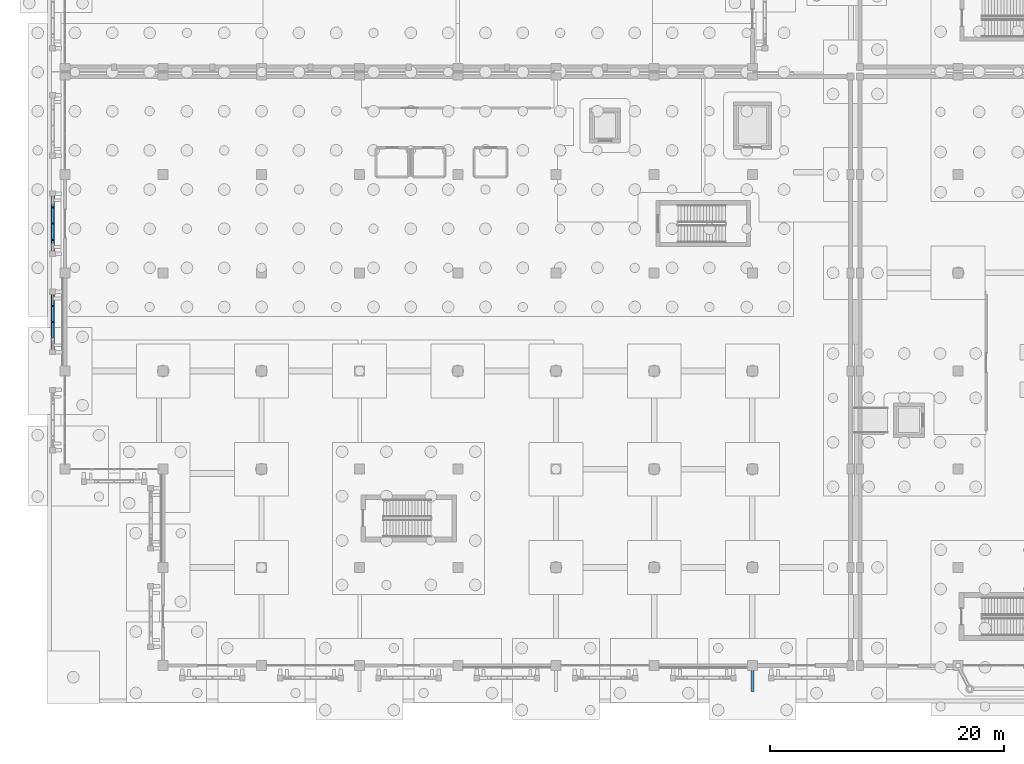
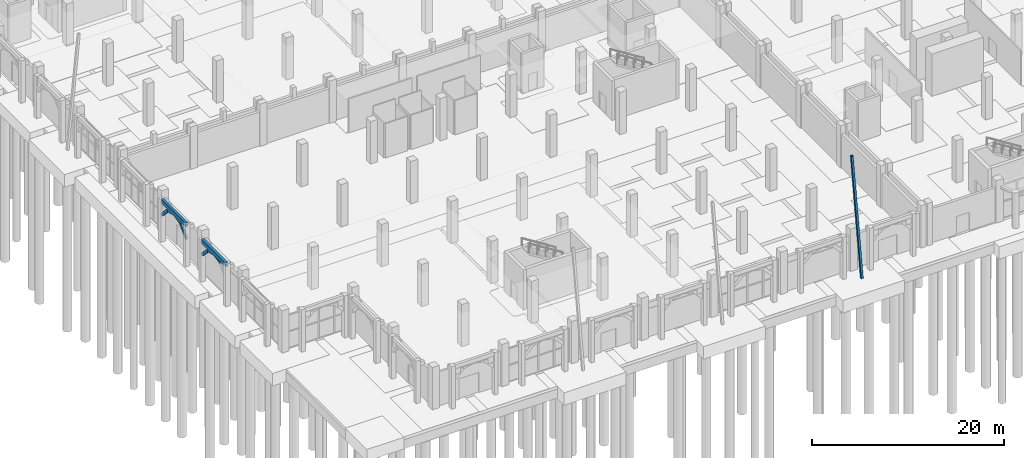
# One storey, part 18 of 98: 8 members, 2 beams.
"""IFC4 building model written with IfcOpenShell, lengths in metres."""

from ifc_helpers import new_model, si_unit, direction, frame, origin, origin_2d, place, context, subcontext, project, spatial, rectangle, hollow_rectangle, extrude, material, material_profile, profile_set, type_object, element, save


model = new_model("IFC4")

# Units and contexts
model_context = context("Model", 3, precision=1e-05, world=origin(), true_north=direction((0.0, 1.0)))
body_context = subcontext(model_context, "Body", "Model", "MODEL_VIEW")
ifc_project = project(units=[si_unit("LENGTHUNIT", "METRE"), si_unit("AREAUNIT", "SQUARE_METRE"), si_unit("VOLUMEUNIT", "CUBIC_METRE"), si_unit("PLANEANGLEUNIT", "RADIAN"), si_unit("MASSUNIT", "GRAM", prefix="KILO")], contexts=[model_context])

# Site, building, storey
site_placement = place(None, origin())
site = spatial("IfcSite", under=ifc_project, at=site_placement, CompositionType="ELEMENT")
building_placement = place(site_placement, origin())
building = spatial("IfcBuilding", under=site, at=building_placement, Name="Xazarin Passage Department Store", CompositionType="ELEMENT")
storey_placement = place(building_placement, origin())
storey = spatial("IfcBuildingStorey", under=building, at=storey_placement, Name="L00", CompositionType="ELEMENT", Elevation=0.0)

# Beams
ifc_material_1 = material(Name="Concrete C35/45", Category="concrete")
ifc_material_profile_1 = material_profile(ifc_material_1, rectangle(XDim=0.300048828125, YDim=0.5, at=origin_2d()), Name="RC 300x500")
ifc_profile_set_1 = profile_set([ifc_material_profile_1], Name="Concrete C35/45")
beam_type = type_object("IfcBeamType", Name="STR-BM-LN300x500", PredefinedType="LINTEL", material=ifc_profile_set_1)
for number, where, z_axis, x_axis, name in (
    (1, (-1.050048828125, 26.820068359375, 5.14990234375), (0.0, 1.0, 0.0), (-1.0, 0.0, 0.0), "L00 V3 Colonnade Spandrel Beam 035"),
    (2, (-1.050048828125, 35.219970703125, 5.14990234375), (0.0, 1.0, 0.0), (-1.0, 0.0, 0.0), "L00 V3 Colonnade Spandrel Beam 036"),
):
    element("IfcBeam", number, at=place(storey_placement, frame(where, z_axis=z_axis, x_axis=x_axis)), inside=storey, type_object=beam_type, Name=name, PredefinedType="LINTEL", context=body_context, shape_type="SweptSolid", body=[
        extrude(rectangle(XDim=0.300048828125, YDim=0.5, at=origin_2d()), origin(), (0.0, 0.0, 1.0), 5.159912109375),
    ])

# Members
ifc_material_2 = material(Name="Concrete C40/50", Category="concrete")
ifc_material_profile_2 = material_profile(ifc_material_2, rectangle(XDim=0.199951171875, YDim=0.360107421875, at=origin_2d()), Name="RC 200x360")
ifc_profile_set_2 = profile_set([ifc_material_profile_2], Name="Concrete C40/50")
member_type_1 = type_object("IfcMemberType", Name="STR-MEM-ARC360", PredefinedType="CHORD", material=ifc_profile_set_2)
member_1_placement = place(storey_placement, frame((-1.050048828125, 28.110107421875, 4.67041015625), z_axis=(0.0, 0.972383960415, 0.233386875224), x_axis=(-1.0, 0.0, 0.0)))
element("IfcMember", 3, at=member_1_placement, inside=storey, type_object=member_type_1, Name="L00 V3 Pierced Lattice Curved Arch 035.2", PredefinedType="CHORD", context=body_context, shape_type="SweptSolid", body=[
    extrude(rectangle(XDim=0.199951171875, YDim=0.360107421875, at=origin_2d()), origin(), (0.0, 0.0, 1.0), 1.326416015625),
])
member_2_placement = place(storey_placement, frame((-1.050048828125, 29.39990234375, 4.97998046875), z_axis=(0.0, 0.972393983317, -0.233345111818), x_axis=(-1.0, 0.0, 0.0)))
element("IfcMember", 4, at=member_2_placement, inside=storey, type_object=member_type_1, Name="L00 V3 Pierced Lattice Curved Arch 035.3", PredefinedType="CHORD", context=body_context, shape_type="SweptSolid", body=[
    extrude(rectangle(XDim=0.199951171875, YDim=0.360107421875, at=origin_2d()), origin(), (0.0, 0.0, 1.0), 1.32666015625),
])
for number, where, z_axis, x_axis, name in (
    (5, (-1.050048828125, 30.68994140625, 4.67041015625), (0.0, 0.693460080602, -0.720495049679), (-1.0, 0.0, 0.0), "L00 V3 Pierced Lattice Curved Arch 035.4"),
    (6, (-1.050048828125, 35.219970703125, 3.330078125), (0.0, 0.693460080602, 0.720495049679), (-1.0, 0.0, 0.0), "L00 V3 Pierced Lattice Curved Arch 036.1"),
):
    element("IfcMember", number, at=place(storey_placement, frame(where, z_axis=z_axis, x_axis=x_axis)), inside=storey, type_object=member_type_1, Name=name, PredefinedType="CHORD", context=body_context, shape_type="SweptSolid", body=[
        extrude(rectangle(XDim=0.199951171875, YDim=0.360107421875, at=origin_2d()), origin(), (0.0, 0.0, 1.0), 1.8603515625),
    ])
for number, where, z_axis, x_axis, name in (
    (7, (-1.050048828125, 36.510009765625, 4.67041015625), (0.0, 0.972393983317, 0.233345111818), (-1.0, 0.0, 0.0), "L00 V3 Pierced Lattice Curved Arch 036.2"),
    (8, (-1.050048828125, 37.800048828125, 4.97998046875), (0.0, 0.972393983317, -0.233345111818), (-1.0, 0.0, 0.0), "L00 V3 Pierced Lattice Curved Arch 036.3"),
):
    element("IfcMember", number, at=place(storey_placement, frame(where, z_axis=z_axis, x_axis=x_axis)), inside=storey, type_object=member_type_1, Name=name, PredefinedType="CHORD", context=body_context, shape_type="SweptSolid", body=[
        extrude(rectangle(XDim=0.199951171875, YDim=0.360107421875, at=origin_2d()), origin(), (0.0, 0.0, 1.0), 1.32666015625),
    ])
member_3_placement = place(storey_placement, frame((-1.050048828125, 39.090087890625, 4.67041015625), z_axis=(0.0, 0.693391944082, -0.720560623322), x_axis=(-1.0, 0.0, 0.0)))
element("IfcMember", 9, at=member_3_placement, inside=storey, type_object=member_type_1, Name="L00 V3 Pierced Lattice Curved Arch 036.4", PredefinedType="CHORD", context=body_context, shape_type="SweptSolid", body=[
    extrude(rectangle(XDim=0.199951171875, YDim=0.360107421875, at=origin_2d()), origin(), (0.0, 0.0, 1.0), 1.860107421875),
])
ifc_material_3 = material(Name="Steel S355", Category="steel")
ifc_material_profile_3 = material_profile(ifc_material_3, hollow_rectangle(XDim=0.25, YDim=0.25, WallThickness=0.012451171875, at=origin_2d()), Name="SHS 250x250x12.5")
ifc_profile_set_3 = profile_set([ifc_material_profile_3], Name="Steel S355")
member_type_2 = type_object("IfcMemberType", Name="STR-MEM-SHS250", PredefinedType="BRACE", material=ifc_profile_set_3)
member_4_placement = place(storey_placement, frame((58.800048828125, -2.10009765625, 0.030029296875), z_axis=(0.0, 0.144609701748, 0.989488774146), x_axis=(-1.0, 0.0, 0.0)))
element("IfcMember", 10, at=member_4_placement, inside=storey, type_object=member_type_2, Name="Sculpted Raked Concrete Buttress BUT-V3-S3", PredefinedType="BRACE", context=body_context, shape_type="SweptSolid", body=[
    extrude(hollow_rectangle(XDim=0.25, YDim=0.25, WallThickness=0.012451171875, at=origin_2d()), origin(), (0.0, 0.0, 1.0), 14.5224609375),
])

save(model, "model.ifc")
